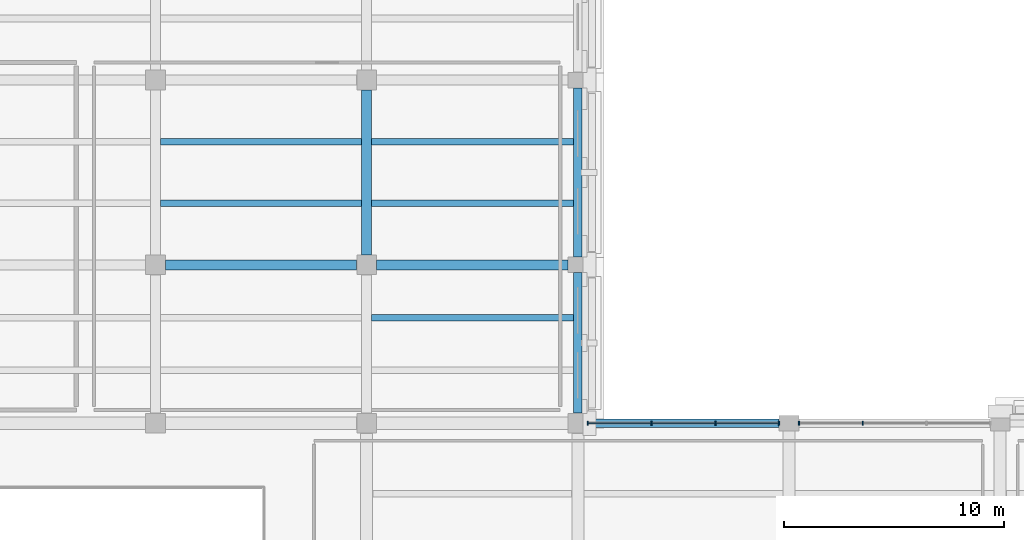
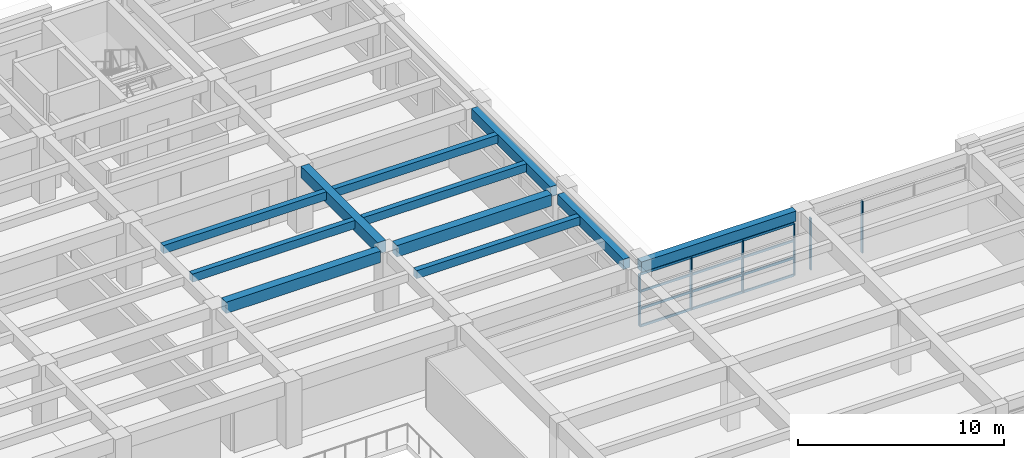
# One storey, part 23 of 62: 11 beams, 10 members, 2 elements without a shape of their own.
"""IFC4 building model written with IfcOpenShell, lengths in metres."""

from ifc_helpers import new_model, si_unit, direction, frame, origin, origin_2d, place, context, subcontext, project, spatial, rectangle, extrude, material, layer, layer_set, material_profile, profile_set, type_object, element, aggregate, save


model = new_model("IFC4")

# Units and contexts
model_context = context("Model", 3, precision=1e-05, world=origin(), true_north=direction((0.0, 1.0)))
body_context = subcontext(model_context, "Body", "Model", "MODEL_VIEW")
ifc_project = project(units=[si_unit("LENGTHUNIT", "METRE"), si_unit("AREAUNIT", "SQUARE_METRE"), si_unit("VOLUMEUNIT", "CUBIC_METRE"), si_unit("PLANEANGLEUNIT", "RADIAN"), si_unit("MASSUNIT", "GRAM", prefix="KILO")], contexts=[model_context])

# Site, building, storey
site_placement = place(None, origin())
site = spatial("IfcSite", under=ifc_project, at=site_placement, CompositionType="ELEMENT")
building_placement = place(site_placement, origin())
building = spatial("IfcBuilding", under=site, at=building_placement, Name="Bempovik Park Faculty of Sciences", CompositionType="ELEMENT")
storey_placement = place(building_placement, frame((0.0, 0.0, 9.89990234375)))
storey = spatial("IfcBuildingStorey", under=building, at=storey_placement, Name="L02", CompositionType="ELEMENT", Elevation=9.89990234375)

# Beams
ifc_material_1 = material(Name="Concrete C35/45", Category="concrete")
ifc_material_profile_1 = material_profile(ifc_material_1, rectangle(XDim=0.3798828125, YDim=0.60009765625, at=origin_2d()), Name="RC 380x600")
ifc_profile_set_1 = profile_set([ifc_material_profile_1], Name="Concrete C35/45")
beam_type_1 = type_object("IfcBeamType", Name="B-032 RC 380x600", PredefinedType="SPANDREL", material=ifc_profile_set_1)
beam_1_placement = place(storey_placement, frame((118.055908203125, 87.0, 3.60009765625), z_axis=(1.0, 0.0, 0.0), x_axis=(0.0, 1.0, 0.0)))
element("IfcBeam", 1, at=beam_1_placement, inside=storey, type_object=beam_type_1, Name="L02 Beam X (117.6-127.2, y=87.0)", PredefinedType="SPANDREL", context=body_context, shape_type="SweptSolid", body=[
    extrude(rectangle(XDim=0.3798828125, YDim=0.60009765625, at=origin_2d()), origin(), (0.0, 0.0, 1.0), 8.68798828125),
])
beam_2_placement = place(storey_placement, frame((117.60009765625, 87.4560546875, 3.60009765625), z_axis=(0.0, 1.0, 0.0), x_axis=(-1.0, 0.0, 0.0)))
element("IfcBeam", 2, at=beam_2_placement, inside=storey, type_object=beam_type_1, Name="L02 Beam Y (x=117.6, 87.0-94.2)", PredefinedType="SPANDREL", context=body_context, shape_type="SweptSolid", body=[
    extrude(rectangle(XDim=0.3798828125, YDim=0.60009765625, at=origin_2d()), origin(), (0.0, 0.0, 1.0), 6.387939453125),
])
beam_3_placement = place(storey_placement, frame((117.60009765625, 94.555908203125, 3.60009765625), z_axis=(0.0, 1.0, 0.0), x_axis=(-1.0, 0.0, 0.0)))
element("IfcBeam", 3, at=beam_3_placement, inside=storey, type_object=beam_type_1, Name="L02 Beam Y (x=117.6, 94.2-102.6)", PredefinedType="SPANDREL", context=body_context, shape_type="SweptSolid", body=[
    extrude(rectangle(XDim=0.3798828125, YDim=0.60009765625, at=origin_2d()), origin(), (0.0, 0.0, 1.0), 7.68798828125),
])
ifc_material_profile_2 = material_profile(ifc_material_1, rectangle(XDim=0.300048828125, YDim=0.47998046875, at=origin_2d()), Name="RC 300x480")
ifc_profile_set_2 = profile_set([ifc_material_profile_2], Name="Concrete C35/45")
beam_type_2 = type_object("IfcBeamType", Name="B-039 RC 300x480", PredefinedType="JOIST", material=ifc_profile_set_2)
for number, where, z_axis, x_axis, name in (
    (4, (98.631103515625, 97.0, 3.66015625), (1.0, 0.0, 0.0), (0.0, 1.0, 0.0), "L02 Secondary Joist (98.4-108.0, y=97.00)"),
    (5, (98.631103515625, 99.800048828125, 3.66015625), (1.0, 0.0, 0.0), (0.0, 1.0, 0.0), "L02 Secondary Joist (98.4-108.0, y=99.80)"),
):
    element("IfcBeam", number, at=place(storey_placement, frame(where, z_axis=z_axis, x_axis=x_axis)), inside=storey, type_object=beam_type_2, Name=name, PredefinedType="JOIST", context=body_context, shape_type="SweptSolid", body=[
        extrude(rectangle(XDim=0.300048828125, YDim=0.47998046875, at=origin_2d()), origin(), (0.0, 0.0, 1.0), 9.137939453125),
    ])
for number, where, z_axis, x_axis, name in (
    (6, (108.23095703125, 91.800048828125, 3.66015625), (1.0, 0.0, 0.0), (0.0, 1.0, 0.0), "L02 Secondary Joist (108.0-117.6, y=91.80)"),
    (7, (108.23095703125, 97.0, 3.66015625), (1.0, 0.0, 0.0), (0.0, 1.0, 0.0), "L02 Secondary Joist (108.0-117.6, y=97.00)"),
    (8, (108.23095703125, 99.800048828125, 3.66015625), (1.0, 0.0, 0.0), (0.0, 1.0, 0.0), "L02 Secondary Joist (108.0-117.6, y=99.80)"),
):
    element("IfcBeam", number, at=place(storey_placement, frame(where, z_axis=z_axis, x_axis=x_axis)), inside=storey, type_object=beam_type_2, Name=name, PredefinedType="JOIST", context=body_context, shape_type="SweptSolid", body=[
        extrude(rectangle(XDim=0.300048828125, YDim=0.47998046875, at=origin_2d()), origin(), (0.0, 0.0, 1.0), 9.173095703125),
    ])
ifc_material_profile_3 = material_profile(ifc_material_1, rectangle(XDim=0.449951171875, YDim=0.679931640625, at=origin_2d()), Name="RC 450x680")
ifc_profile_set_3 = profile_set([ifc_material_profile_3], Name="Concrete C35/45")
beam_type_3 = type_object("IfcBeamType", Name="B-113 RC 450x680", PredefinedType="BEAM", material=ifc_profile_set_3)
for number, where, z_axis, x_axis, name in (
    (9, (98.85595703125, 94.199951171875, 3.56005859375), (1.0, 0.0, 0.0), (0.0, 1.0, 0.0), "L02 Beam X (98.4-108.0, y=94.2)"),
    (10, (108.4560546875, 94.199951171875, 3.56005859375), (1.0, 0.0, 0.0), (0.0, 1.0, 0.0), "L02 Beam X (108.0-117.6, y=94.2)"),
):
    element("IfcBeam", number, at=place(storey_placement, frame(where, z_axis=z_axis, x_axis=x_axis)), inside=storey, type_object=beam_type_3, Name=name, PredefinedType="BEAM", context=body_context, shape_type="SweptSolid", body=[
        extrude(rectangle(XDim=0.449951171875, YDim=0.679931640625, at=origin_2d()), origin(), (0.0, 0.0, 1.0), 8.68798828125),
    ])
beam_4_placement = place(storey_placement, frame((108.0, 94.656005859375, 3.56005859375), z_axis=(0.0, 1.0, 0.0), x_axis=(-1.0, 0.0, 0.0)))
element("IfcBeam", 11, at=beam_4_placement, inside=storey, type_object=beam_type_3, Name="L02 Beam Y (x=108.0, 94.2-102.6)", PredefinedType="BEAM", context=body_context, shape_type="SweptSolid", body=[
    extrude(rectangle(XDim=0.449951171875, YDim=0.679931640625, at=origin_2d()), origin(), (0.0, 0.0, 1.0), 7.488037109375),
])

# Curtain wall, members
ifc_material_2 = material(Name="Tempered laminated low-E glass", Category="glass")
ifc_layer = layer(ifc_material_2, 0.159912109375)
ifc_layer_set = layer_set([ifc_layer], Name="Tempered laminated low-E glass")
curtain_wall_type = type_object("IfcCurtainWallType", Name="CW-41 Curtain 6600x3800", PredefinedType="USERDEFINED", material=ifc_layer_set)
curtain_wall_1_placement = place(storey_placement, origin())
curtain_wall_1 = element("IfcCurtainWall", 12, at=curtain_wall_1_placement, inside=storey, type_object=curtain_wall_type, Name="L02 Unitised Curtain Wall (87.0,117.6)", ObjectType="UNITISED CURTAIN WALL", PredefinedType="USERDEFINED")
ifc_material_3 = material(Name="Anodised architectural bronze", Category="aluminium")
ifc_material_profile_4 = material_profile(ifc_material_3, rectangle(XDim=0.06494140625, YDim=0.169921875, at=origin_2d()), Name="ALU-M 65x170")
ifc_profile_set_4 = profile_set([ifc_material_profile_4], Name="Anodised architectural bronze")
member_type_1 = type_object("IfcMemberType", Name="ML-15 ALU-M 65x170", PredefinedType="MULLION", material=ifc_profile_set_4)
member_1_placement = place(storey_placement, frame((118.052001953125, 87.0, 0.0), z_axis=(0.0, 0.0, 1.0), x_axis=(1.0, 0.0, 0.0)))
member_1 = element("IfcMember", 13, at=member_1_placement, type_object=member_type_1, Name="CW-BAY-L02-870-1176 Mullion 0", PredefinedType="MULLION", context=body_context, shape_type="SweptSolid", body=[
    extrude(rectangle(XDim=0.06494140625, YDim=0.169921875, at=origin_2d()), origin(), (0.0, 0.0, 1.0), 3.080078125),
])
member_2_placement = place(storey_placement, frame((120.95068359375, 87.0, 0.0), z_axis=(0.0, 0.0, 1.0), x_axis=(1.0, 0.0, 0.0)))
member_2 = element("IfcMember", 14, at=member_2_placement, type_object=member_type_1, Name="CW-BAY-L02-870-1176 Mullion 1", PredefinedType="MULLION", context=body_context, shape_type="SweptSolid", body=[
    extrude(rectangle(XDim=0.06494140625, YDim=0.169921875, at=origin_2d()), origin(), (0.0, 0.0, 1.0), 3.080078125),
])
member_3_placement = place(storey_placement, frame((123.849365234375, 87.0, 0.0), z_axis=(0.0, 0.0, 1.0), x_axis=(1.0, 0.0, 0.0)))
member_3 = element("IfcMember", 15, at=member_3_placement, type_object=member_type_1, Name="CW-BAY-L02-870-1176 Mullion 2", PredefinedType="MULLION", context=body_context, shape_type="SweptSolid", body=[
    extrude(rectangle(XDim=0.06494140625, YDim=0.169921875, at=origin_2d()), origin(), (0.0, 0.0, 1.0), 3.080078125),
])
member_4_placement = place(storey_placement, frame((126.748046875, 87.0, 0.0), z_axis=(0.0, 0.0, 1.0), x_axis=(1.0, 0.0, 0.0)))
member_4 = element("IfcMember", 16, at=member_4_placement, type_object=member_type_1, Name="CW-BAY-L02-870-1176 Mullion 3", PredefinedType="MULLION", context=body_context, shape_type="SweptSolid", body=[
    extrude(rectangle(XDim=0.06494140625, YDim=0.169921875, at=origin_2d()), origin(), (0.0, 0.0, 1.0), 3.080078125),
])

curtain_wall_2_placement = place(storey_placement, origin())
curtain_wall_2 = element("IfcCurtainWall", 17, at=curtain_wall_2_placement, inside=storey, type_object=curtain_wall_type, Name="L02 Unitised Curtain Wall (87.0,127.2)", ObjectType="UNITISED CURTAIN WALL", PredefinedType="USERDEFINED")
member_5_placement = place(storey_placement, frame((127.652099609375, 87.0, 0.0), z_axis=(0.0, 0.0, 1.0), x_axis=(1.0, 0.0, 0.0)))
member_5 = element("IfcMember", 18, at=member_5_placement, type_object=member_type_1, Name="CW-BAY-L02-870-1272 Mullion 0", PredefinedType="MULLION", context=body_context, shape_type="SweptSolid", body=[
    extrude(rectangle(XDim=0.06494140625, YDim=0.169921875, at=origin_2d()), origin(), (0.0, 0.0, 1.0), 3.080078125),
])
member_6_placement = place(storey_placement, frame((130.55078125, 87.0, 0.0), z_axis=(0.0, 0.0, 1.0), x_axis=(1.0, 0.0, 0.0)))
member_6 = element("IfcMember", 19, at=member_6_placement, type_object=member_type_1, Name="CW-BAY-L02-870-1272 Mullion 1", PredefinedType="MULLION", context=body_context, shape_type="SweptSolid", body=[
    extrude(rectangle(XDim=0.06494140625, YDim=0.169921875, at=origin_2d()), origin(), (0.0, 0.0, 1.0), 3.080078125),
])
aggregate(curtain_wall_2, [member_5, member_6])

# Member
ifc_material_profile_5 = material_profile(ifc_material_3, rectangle(XDim=0.06494140625, YDim=0.139892578125, at=origin_2d()), Name="ALU-T 65x140")
ifc_profile_set_5 = profile_set([ifc_material_profile_5], Name="Anodised architectural bronze")
member_type_2 = type_object("IfcMemberType", Name="TR-17 ALU-T 65x140", PredefinedType="USERDEFINED", material=ifc_profile_set_5)
member_7_placement = place(storey_placement, frame((118.092041015625, 87.0, 0.0), z_axis=(1.0, 0.0, 0.0), x_axis=(0.0, 1.0, 0.0)))
member_7 = element("IfcMember", 20, at=member_7_placement, type_object=member_type_2, Name="CW-BAY-L02-870-1176 Transom 0", ObjectType="TRANSOM", PredefinedType="USERDEFINED", context=body_context, shape_type="SweptSolid", body=[
    extrude(rectangle(XDim=0.06494140625, YDim=0.139892578125, at=origin_2d()), origin(), (0.0, 0.0, 1.0), 8.615966796875),
])

member_8_placement = place(storey_placement, frame((118.092041015625, 87.0, 1.02685546875), z_axis=(1.0, 0.0, 0.0), x_axis=(0.0, 1.0, 0.0)))
member_8 = element("IfcMember", 21, at=member_8_placement, type_object=member_type_2, Name="CW-BAY-L02-870-1176 Transom 1", ObjectType="TRANSOM", PredefinedType="USERDEFINED", context=body_context, shape_type="SweptSolid", body=[
    extrude(rectangle(XDim=0.06494140625, YDim=0.139892578125, at=origin_2d()), origin(), (0.0, 0.0, 1.0), 8.615966796875),
])

member_9_placement = place(storey_placement, frame((118.092041015625, 87.0, 2.053466796875), z_axis=(1.0, 0.0, 0.0), x_axis=(0.0, 1.0, 0.0)))
member_9 = element("IfcMember", 22, at=member_9_placement, type_object=member_type_2, Name="CW-BAY-L02-870-1176 Transom 2", ObjectType="TRANSOM", PredefinedType="USERDEFINED", context=body_context, shape_type="SweptSolid", body=[
    extrude(rectangle(XDim=0.06494140625, YDim=0.139892578125, at=origin_2d()), origin(), (0.0, 0.0, 1.0), 8.615966796875),
])

member_10_placement = place(storey_placement, frame((118.092041015625, 87.0, 3.080078125), z_axis=(1.0, 0.0, 0.0), x_axis=(0.0, 1.0, 0.0)))
member_10 = element("IfcMember", 23, at=member_10_placement, type_object=member_type_2, Name="CW-BAY-L02-870-1176 Transom 3", ObjectType="TRANSOM", PredefinedType="USERDEFINED", context=body_context, shape_type="SweptSolid", body=[
    extrude(rectangle(XDim=0.06494140625, YDim=0.139892578125, at=origin_2d()), origin(), (0.0, 0.0, 1.0), 8.615966796875),
])

aggregate(curtain_wall_1, [member_1, member_2, member_3, member_4, member_7, member_8, member_9, member_10])

save(model, "model.ifc")
